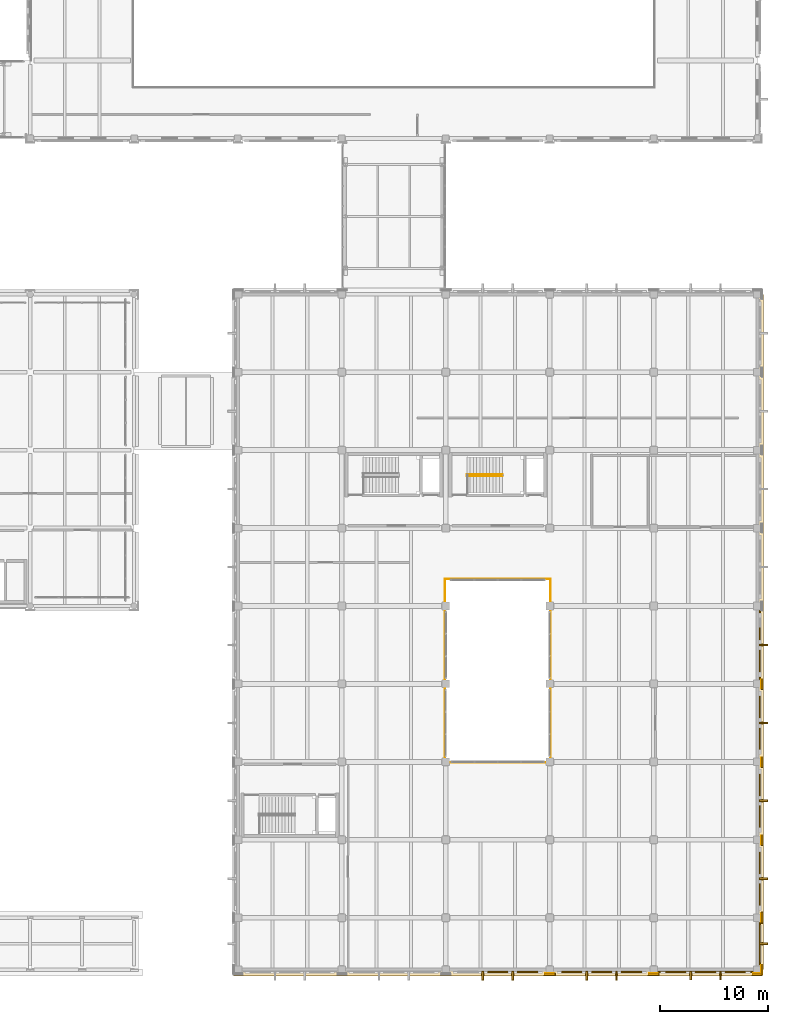
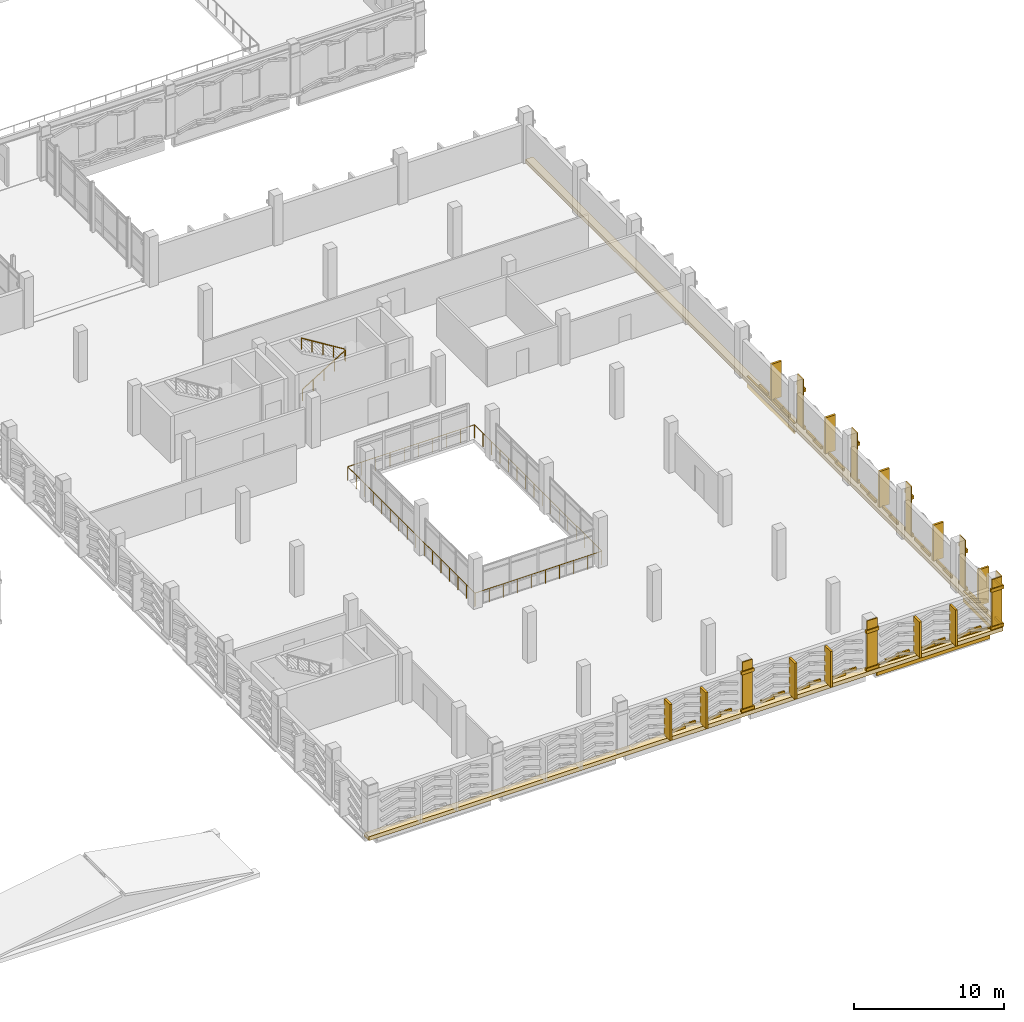
# One storey, part 176 of 180: 73 coverings, 4 railings.
"""IFC4 building model written with IfcOpenShell, lengths in metres."""

from ifc_helpers import new_model, si_unit, direction, frame, origin, origin_2d, place, context, subcontext, project, spatial, rectangle, circle, extrude, material, layer, layer_set, type_object, element, save


model = new_model("IFC4")

# Units and contexts
model_context = context("Model", 3, precision=1e-05, world=origin(), true_north=direction((0.0, 1.0)))
body_context = subcontext(model_context, "Body", "Model", "MODEL_VIEW")
ifc_project = project(units=[si_unit("LENGTHUNIT", "METRE"), si_unit("AREAUNIT", "SQUARE_METRE"), si_unit("VOLUMEUNIT", "CUBIC_METRE"), si_unit("PLANEANGLEUNIT", "RADIAN"), si_unit("MASSUNIT", "GRAM", prefix="KILO")], contexts=[model_context])

# Site, building, storey
site_placement = place(None, origin())
site = spatial("IfcSite", under=ifc_project, at=site_placement, CompositionType="ELEMENT")
building_placement = place(site_placement, origin())
building = spatial("IfcBuilding", under=site, at=building_placement, Name="Asteropetra Specialist Clinic", CompositionType="ELEMENT")
storey_placement = place(building_placement, frame((0.0, 0.0, 4.419921875)))
storey = spatial("IfcBuildingStorey", under=building, at=storey_placement, Name="L01", CompositionType="ELEMENT", Elevation=4.419921875)

# Coverings
ifc_material_1 = material(Name="Chevron aegean deep")
ifc_layer_1 = layer(ifc_material_1, 0.1201171875)
ifc_layer_set_1 = layer_set([ifc_layer_1], Name="Chevron aegean deep")
covering_type_1 = type_object("IfcCoveringType", Name="CLD-AEG-DEEP", PredefinedType="CLADDING", material=ifc_layer_set_1)
for number, where, z_axis, x_axis, name in (
    (1, (129.193115234375, -0.21240234375, 0.1201171875), (0.0, 0.0, 1.0), (1.0, 0.0, 0.0), "Chevron Ceramic Band CV-2034"),
    (2, (130.007080078125, -0.21240234375, 0.26025390625), (0.0, 0.0, 1.0), (1.0, 0.0, 0.0), "Chevron Ceramic Band CV-2035"),
    (3, (131.9462890625, -0.21240234375, 0.1201171875), (0.0, 0.0, 1.0), (1.0, 0.0, 0.0), "Chevron Ceramic Band CV-2036"),
    (4, (132.76025390625, -0.21240234375, 0.26025390625), (0.0, 0.0, 1.0), (1.0, 0.0, 0.0), "Chevron Ceramic Band CV-2037"),
    (5, (136.039794921875, -0.21240234375, 0.1201171875), (0.0, 0.0, 1.0), (1.0, 0.0, 0.0), "Chevron Ceramic Band CV-2044"),
    (6, (136.853759765625, -0.21240234375, 0.26025390625), (0.0, 0.0, 1.0), (1.0, 0.0, 0.0), "Chevron Ceramic Band CV-2045"),
    (7, (138.79296875, -0.21240234375, 0.1201171875), (0.0, 0.0, 1.0), (1.0, 0.0, 0.0), "Chevron Ceramic Band CV-2046"),
    (8, (139.60693359375, -0.21240234375, 0.26025390625), (0.0, 0.0, 1.0), (1.0, 0.0, 0.0), "Chevron Ceramic Band CV-2047"),
    (9, (141.54638671875, -0.21240234375, 0.1201171875), (0.0, 0.0, 1.0), (1.0, 0.0, 0.0), "Chevron Ceramic Band CV-2048"),
    (10, (142.3603515625, -0.21240234375, 0.26025390625), (0.0, 0.0, 1.0), (1.0, 0.0, 0.0), "Chevron Ceramic Band CV-2049"),
):
    element("IfcCovering", number, at=place(storey_placement, frame(where, z_axis=z_axis, x_axis=x_axis)), inside=storey, type_object=covering_type_1, Name=name, PredefinedType="CLADDING", context=body_context, shape_type="SweptSolid", body=[
        extrude(rectangle(XDim=1.0458984375, YDim=0.1201171875, at=origin_2d()), origin(), (0.0, 0.0, 1.0), 0.199951171875),
    ])
covering_1_placement = place(storey_placement, frame((148.800048828125, -0.197509765625, -0.7998046875), z_axis=(0.0, 0.0, 1.0), x_axis=(1.0, 0.0, 0.0)))
element("IfcCovering", 11, at=covering_1_placement, inside=storey, type_object=covering_type_1, Name="Chevron Spandrel Band CV-2056", PredefinedType="CLADDING", context=body_context, shape_type="SweptSolid", body=[
    extrude(rectangle(XDim=8.699951171875, YDim=0.1201171875, at=origin_2d()), origin(), (0.0, 0.0, 1.0), 0.8798828125),
])
for number, where, z_axis, x_axis, name in (
    (12, (145.6396484375, -0.21240234375, 0.1201171875), (0.0, 0.0, 1.0), (1.0, 0.0, 0.0), "Chevron Ceramic Band CV-2057"),
    (13, (146.45361328125, -0.21240234375, 0.26025390625), (0.0, 0.0, 1.0), (1.0, 0.0, 0.0), "Chevron Ceramic Band CV-2058"),
    (14, (148.39306640625, -0.21240234375, 0.1201171875), (0.0, 0.0, 1.0), (1.0, 0.0, 0.0), "Chevron Ceramic Band CV-2059"),
    (15, (149.20703125, -0.21240234375, 0.26025390625), (0.0, 0.0, 1.0), (1.0, 0.0, 0.0), "Chevron Ceramic Band CV-2060"),
    (16, (151.146240234375, -0.21240234375, 0.1201171875), (0.0, 0.0, 1.0), (1.0, 0.0, 0.0), "Chevron Ceramic Band CV-2061"),
    (17, (151.960205078125, -0.21240234375, 0.26025390625), (0.0, 0.0, 1.0), (1.0, 0.0, 0.0), "Chevron Ceramic Band CV-2062"),
):
    element("IfcCovering", number, at=place(storey_placement, frame(where, z_axis=z_axis, x_axis=x_axis)), inside=storey, type_object=covering_type_1, Name=name, PredefinedType="CLADDING", context=body_context, shape_type="SweptSolid", body=[
        extrude(rectangle(XDim=1.0458984375, YDim=0.1201171875, at=origin_2d()), origin(), (0.0, 0.0, 1.0), 0.199951171875),
    ])
covering_2_placement = place(storey_placement, frame((153.797607421875, 2.39990234375, -0.7998046875), z_axis=(0.0, 0.0, 1.0), x_axis=(1.0, 0.0, 0.0)))
element("IfcCovering", 18, at=covering_2_placement, inside=storey, type_object=covering_type_1, Name="Chevron Spandrel Band CV-2073", PredefinedType="CLADDING", context=body_context, shape_type="SweptSolid", body=[
    extrude(rectangle(XDim=0.1201171875, YDim=3.89990234375, at=origin_2d()), origin(), (0.0, 0.0, 1.0), 0.8798828125),
])
for number, where, z_axis, x_axis, name in (
    (19, (153.8125, 1.886962890625, 0.1201171875), (0.0, 0.0, 1.0), (1.0, 0.0, 0.0), "Chevron Ceramic Band CV-2074"),
    (20, (153.8125, 2.9130859375, 0.26025390625), (0.0, 0.0, 1.0), (1.0, 0.0, 0.0), "Chevron Ceramic Band CV-2075"),
):
    element("IfcCovering", number, at=place(storey_placement, frame(where, z_axis=z_axis, x_axis=x_axis)), inside=storey, type_object=covering_type_1, Name=name, PredefinedType="CLADDING", context=body_context, shape_type="SweptSolid", body=[
        extrude(rectangle(XDim=0.1201171875, YDim=1.31494140625, at=origin_2d()), origin(), (0.0, 0.0, 1.0), 0.199951171875),
    ])
for number, where, z_axis, x_axis, name in (
    (21, (153.8125, 6.50146484375, 0.1201171875), (0.0, 0.0, 1.0), (1.0, 0.0, 0.0), "Chevron Ceramic Band CV-2080"),
    (22, (153.8125, 7.368408203125, 0.26025390625), (0.0, 0.0, 1.0), (1.0, 0.0, 0.0), "Chevron Ceramic Band CV-2081"),
    (23, (153.8125, 9.431396484375, 0.1201171875), (0.0, 0.0, 1.0), (1.0, 0.0, 0.0), "Chevron Ceramic Band CV-2082"),
    (24, (153.8125, 10.298583984375, 0.26025390625), (0.0, 0.0, 1.0), (1.0, 0.0, 0.0), "Chevron Ceramic Band CV-2083"),
    (25, (153.8125, 13.701416015625, 0.1201171875), (0.0, 0.0, 1.0), (1.0, 0.0, 0.0), "Chevron Ceramic Band CV-2089"),
    (26, (153.8125, 14.568603515625, 0.26025390625), (0.0, 0.0, 1.0), (1.0, 0.0, 0.0), "Chevron Ceramic Band CV-2090"),
    (27, (153.8125, 16.631591796875, 0.1201171875), (0.0, 0.0, 1.0), (1.0, 0.0, 0.0), "Chevron Ceramic Band CV-2091"),
    (28, (153.8125, 17.49853515625, 0.26025390625), (0.0, 0.0, 1.0), (1.0, 0.0, 0.0), "Chevron Ceramic Band CV-2092"),
    (29, (153.8125, 20.901611328125, 0.1201171875), (0.0, 0.0, 1.0), (1.0, 0.0, 0.0), "Chevron Ceramic Band CV-2097"),
    (30, (153.8125, 21.7685546875, 0.26025390625), (0.0, 0.0, 1.0), (1.0, 0.0, 0.0), "Chevron Ceramic Band CV-2098"),
    (31, (153.8125, 23.83154296875, 0.1201171875), (0.0, 0.0, 1.0), (1.0, 0.0, 0.0), "Chevron Ceramic Band CV-2099"),
    (32, (153.8125, 24.698486328125, 0.26025390625), (0.0, 0.0, 1.0), (1.0, 0.0, 0.0), "Chevron Ceramic Band CV-2100"),
):
    element("IfcCovering", number, at=place(storey_placement, frame(where, z_axis=z_axis, x_axis=x_axis)), inside=storey, type_object=covering_type_1, Name=name, PredefinedType="CLADDING", context=body_context, shape_type="SweptSolid", body=[
        extrude(rectangle(XDim=0.1201171875, YDim=1.113037109375, at=origin_2d()), origin(), (0.0, 0.0, 1.0), 0.199951171875),
    ])
covering_3_placement = place(storey_placement, frame((153.797607421875, 30.0, -0.7998046875), z_axis=(0.0, 0.0, 1.0), x_axis=(1.0, 0.0, 0.0)))
element("IfcCovering", 33, at=covering_3_placement, inside=storey, type_object=covering_type_1, Name="Chevron Spandrel Band CV-2105", PredefinedType="CLADDING", context=body_context, shape_type="SweptSolid", body=[
    extrude(rectangle(XDim=0.1201171875, YDim=6.300048828125, at=origin_2d()), origin(), (0.0, 0.0, 1.0), 0.8798828125),
])
for number, where, z_axis, x_axis, name in (
    (34, (153.8125, 28.1015625, 0.1201171875), (0.0, 0.0, 1.0), (1.0, 0.0, 0.0), "Chevron Ceramic Band CV-2106"),
    (35, (153.8125, 28.968505859375, 0.26025390625), (0.0, 0.0, 1.0), (1.0, 0.0, 0.0), "Chevron Ceramic Band CV-2107"),
    (36, (153.8125, 31.031494140625, 0.1201171875), (0.0, 0.0, 1.0), (1.0, 0.0, 0.0), "Chevron Ceramic Band CV-2108"),
):
    element("IfcCovering", number, at=place(storey_placement, frame(where, z_axis=z_axis, x_axis=x_axis)), inside=storey, type_object=covering_type_1, Name=name, PredefinedType="CLADDING", context=body_context, shape_type="SweptSolid", body=[
        extrude(rectangle(XDim=0.1201171875, YDim=1.113037109375, at=origin_2d()), origin(), (0.0, 0.0, 1.0), 0.199951171875),
    ])
ifc_material_2 = material(Name="Pentelic marble ashlar", Category="masonry")
ifc_layer_2 = layer(ifc_material_2, 0.159912109375)
ifc_layer_set_2 = layer_set([ifc_layer_2], Name="Pentelic marble ashlar")
covering_type_2 = type_object("IfcCoveringType", Name="CRN-ENTAB-600", PredefinedType="MOLDING", material=ifc_layer_set_2)
covering_4_placement = place(storey_placement, frame((134.39990234375, -0.382080078125, 0.02001953125), z_axis=(0.0, 0.0, 1.0), x_axis=(1.0, 0.0, 0.0)))
element("IfcCovering", 37, at=covering_4_placement, inside=storey, type_object=covering_type_2, Name="Neoclassical Pilaster Facing CM-1061", PredefinedType="MOLDING", context=body_context, shape_type="SweptSolid", body=[
    extrude(rectangle(XDim=0.780029296875, YDim=0.080078125, at=origin_2d()), origin(), (0.0, 0.0, 1.0), 4.0400390625),
])
for number, where, z_axis, x_axis, name in (
    (38, (134.39990234375, -0.422119140625, 0.01025390625), (0.0, 0.0, 1.0), (1.0, 0.0, 0.0), "Doric Base CC-1062"),
    (39, (134.39990234375, -0.422119140625, 3.08984375), (0.0, 0.0, 1.0), (1.0, 0.0, 0.0), "Doric Capital CC-1063"),
):
    element("IfcCovering", number, at=place(storey_placement, frame(where, z_axis=z_axis, x_axis=x_axis)), inside=storey, type_object=covering_type_2, Name=name, PredefinedType="MOLDING", context=body_context, shape_type="SweptSolid", body=[
        extrude(rectangle(XDim=0.97998046875, YDim=0.159912109375, at=origin_2d()), origin(), (0.0, 0.0, 1.0), 0.260009765625),
    ])
covering_5_placement = place(storey_placement, frame((144.0, -0.382080078125, 0.02001953125), z_axis=(0.0, 0.0, 1.0), x_axis=(1.0, 0.0, 0.0)))
element("IfcCovering", 40, at=covering_5_placement, inside=storey, type_object=covering_type_2, Name="Neoclassical Pilaster Facing CM-1067", PredefinedType="MOLDING", context=body_context, shape_type="SweptSolid", body=[
    extrude(rectangle(XDim=0.780029296875, YDim=0.080078125, at=origin_2d()), origin(), (0.0, 0.0, 1.0), 4.0400390625),
])
for number, where, z_axis, x_axis, name in (
    (41, (144.0, -0.422119140625, 0.01025390625), (0.0, 0.0, 1.0), (1.0, 0.0, 0.0), "Doric Base CC-1068"),
    (42, (144.0, -0.422119140625, 3.08984375), (0.0, 0.0, 1.0), (1.0, 0.0, 0.0), "Doric Capital CC-1069"),
):
    element("IfcCovering", number, at=place(storey_placement, frame(where, z_axis=z_axis, x_axis=x_axis)), inside=storey, type_object=covering_type_2, Name=name, PredefinedType="MOLDING", context=body_context, shape_type="SweptSolid", body=[
        extrude(rectangle(XDim=0.97998046875, YDim=0.159912109375, at=origin_2d()), origin(), (0.0, 0.0, 1.0), 0.260009765625),
    ])
covering_6_placement = place(storey_placement, frame((153.60009765625, -0.382080078125, 0.02001953125), z_axis=(0.0, 0.0, 1.0), x_axis=(1.0, 0.0, 0.0)))
element("IfcCovering", 43, at=covering_6_placement, inside=storey, type_object=covering_type_2, Name="Neoclassical Pilaster Facing CM-1073", PredefinedType="MOLDING", context=body_context, shape_type="SweptSolid", body=[
    extrude(rectangle(XDim=0.780029296875, YDim=0.080078125, at=origin_2d()), origin(), (0.0, 0.0, 1.0), 4.0400390625),
])
for number, where, z_axis, x_axis, name in (
    (44, (153.60009765625, -0.422119140625, 0.01025390625), (0.0, 0.0, 1.0), (1.0, 0.0, 0.0), "Doric Base CC-1074"),
    (45, (153.60009765625, -0.422119140625, 3.08984375), (0.0, 0.0, 1.0), (1.0, 0.0, 0.0), "Doric Capital CC-1075"),
):
    element("IfcCovering", number, at=place(storey_placement, frame(where, z_axis=z_axis, x_axis=x_axis)), inside=storey, type_object=covering_type_2, Name=name, PredefinedType="MOLDING", context=body_context, shape_type="SweptSolid", body=[
        extrude(rectangle(XDim=0.97998046875, YDim=0.159912109375, at=origin_2d()), origin(), (0.0, 0.0, 1.0), 0.260009765625),
    ])
covering_7_placement = place(storey_placement, frame((153.98193359375, 0.0, 0.02001953125), z_axis=(0.0, 0.0, 1.0), x_axis=(1.0, 0.0, 0.0)))
element("IfcCovering", 46, at=covering_7_placement, inside=storey, type_object=covering_type_2, Name="Neoclassical Pilaster Facing CM-1076", PredefinedType="MOLDING", context=body_context, shape_type="SweptSolid", body=[
    extrude(rectangle(XDim=0.080078125, YDim=0.780029296875, at=origin_2d()), origin(), (0.0, 0.0, 1.0), 4.0400390625),
])
for number, where, z_axis, x_axis, name in (
    (47, (154.02197265625, 0.0, 0.01025390625), (0.0, 0.0, 1.0), (1.0, 0.0, 0.0), "Doric Base CC-1077"),
    (48, (154.02197265625, 0.0, 3.08984375), (0.0, 0.0, 1.0), (1.0, 0.0, 0.0), "Doric Capital CC-1078"),
):
    element("IfcCovering", number, at=place(storey_placement, frame(where, z_axis=z_axis, x_axis=x_axis)), inside=storey, type_object=covering_type_2, Name=name, PredefinedType="MOLDING", context=body_context, shape_type="SweptSolid", body=[
        extrude(rectangle(XDim=0.159912109375, YDim=0.97998046875, at=origin_2d()), origin(), (0.0, 0.0, 1.0), 0.260009765625),
    ])
covering_8_placement = place(storey_placement, frame((153.98193359375, 4.800048828125, 0.02001953125), z_axis=(0.0, 0.0, 1.0), x_axis=(1.0, 0.0, 0.0)))
element("IfcCovering", 49, at=covering_8_placement, inside=storey, type_object=covering_type_2, Name="Neoclassical Pilaster Facing CM-1079", PredefinedType="MOLDING", context=body_context, shape_type="SweptSolid", body=[
    extrude(rectangle(XDim=0.080078125, YDim=0.780029296875, at=origin_2d()), origin(), (0.0, 0.0, 1.0), 4.0400390625),
])
for number, where, z_axis, x_axis, name in (
    (50, (154.02197265625, 4.800048828125, 0.01025390625), (0.0, 0.0, 1.0), (1.0, 0.0, 0.0), "Doric Base CC-1080"),
    (51, (154.02197265625, 4.800048828125, 3.08984375), (0.0, 0.0, 1.0), (1.0, 0.0, 0.0), "Doric Capital CC-1081"),
):
    element("IfcCovering", number, at=place(storey_placement, frame(where, z_axis=z_axis, x_axis=x_axis)), inside=storey, type_object=covering_type_2, Name=name, PredefinedType="MOLDING", context=body_context, shape_type="SweptSolid", body=[
        extrude(rectangle(XDim=0.159912109375, YDim=0.97998046875, at=origin_2d()), origin(), (0.0, 0.0, 1.0), 0.260009765625),
    ])
covering_9_placement = place(storey_placement, frame((153.98193359375, 12.0, 0.02001953125), z_axis=(0.0, 0.0, 1.0), x_axis=(1.0, 0.0, 0.0)))
element("IfcCovering", 52, at=covering_9_placement, inside=storey, type_object=covering_type_2, Name="Neoclassical Pilaster Facing CM-1082", PredefinedType="MOLDING", context=body_context, shape_type="SweptSolid", body=[
    extrude(rectangle(XDim=0.080078125, YDim=0.780029296875, at=origin_2d()), origin(), (0.0, 0.0, 1.0), 4.0400390625),
])
for number, where, z_axis, x_axis, name in (
    (53, (154.02197265625, 12.0, 0.01025390625), (0.0, 0.0, 1.0), (1.0, 0.0, 0.0), "Doric Base CC-1083"),
    (54, (154.02197265625, 12.0, 3.08984375), (0.0, 0.0, 1.0), (1.0, 0.0, 0.0), "Doric Capital CC-1084"),
):
    element("IfcCovering", number, at=place(storey_placement, frame(where, z_axis=z_axis, x_axis=x_axis)), inside=storey, type_object=covering_type_2, Name=name, PredefinedType="MOLDING", context=body_context, shape_type="SweptSolid", body=[
        extrude(rectangle(XDim=0.159912109375, YDim=0.97998046875, at=origin_2d()), origin(), (0.0, 0.0, 1.0), 0.260009765625),
    ])
covering_10_placement = place(storey_placement, frame((153.98193359375, 19.199951171875, 0.02001953125), z_axis=(0.0, 0.0, 1.0), x_axis=(1.0, 0.0, 0.0)))
element("IfcCovering", 55, at=covering_10_placement, inside=storey, type_object=covering_type_2, Name="Neoclassical Pilaster Facing CM-1085", PredefinedType="MOLDING", context=body_context, shape_type="SweptSolid", body=[
    extrude(rectangle(XDim=0.080078125, YDim=0.780029296875, at=origin_2d()), origin(), (0.0, 0.0, 1.0), 4.0400390625),
])
for number, where, z_axis, x_axis, name in (
    (56, (154.02197265625, 19.199951171875, 0.01025390625), (0.0, 0.0, 1.0), (1.0, 0.0, 0.0), "Doric Base CC-1086"),
    (57, (154.02197265625, 19.199951171875, 3.08984375), (0.0, 0.0, 1.0), (1.0, 0.0, 0.0), "Doric Capital CC-1087"),
):
    element("IfcCovering", number, at=place(storey_placement, frame(where, z_axis=z_axis, x_axis=x_axis)), inside=storey, type_object=covering_type_2, Name=name, PredefinedType="MOLDING", context=body_context, shape_type="SweptSolid", body=[
        extrude(rectangle(XDim=0.159912109375, YDim=0.97998046875, at=origin_2d()), origin(), (0.0, 0.0, 1.0), 0.260009765625),
    ])
covering_11_placement = place(storey_placement, frame((153.98193359375, 26.39990234375, 0.02001953125), z_axis=(0.0, 0.0, 1.0), x_axis=(1.0, 0.0, 0.0)))
element("IfcCovering", 58, at=covering_11_placement, inside=storey, type_object=covering_type_2, Name="Neoclassical Pilaster Facing CM-1088", PredefinedType="MOLDING", context=body_context, shape_type="SweptSolid", body=[
    extrude(rectangle(XDim=0.080078125, YDim=0.780029296875, at=origin_2d()), origin(), (0.0, 0.0, 1.0), 4.0400390625),
])
for number, where, z_axis, x_axis, name in (
    (59, (154.02197265625, 26.39990234375, 0.01025390625), (0.0, 0.0, 1.0), (1.0, 0.0, 0.0), "Doric Base CC-1089"),
    (60, (154.02197265625, 26.39990234375, 3.08984375), (0.0, 0.0, 1.0), (1.0, 0.0, 0.0), "Doric Capital CC-1090"),
):
    element("IfcCovering", number, at=place(storey_placement, frame(where, z_axis=z_axis, x_axis=x_axis)), inside=storey, type_object=covering_type_2, Name=name, PredefinedType="MOLDING", context=body_context, shape_type="SweptSolid", body=[
        extrude(rectangle(XDim=0.159912109375, YDim=0.97998046875, at=origin_2d()), origin(), (0.0, 0.0, 1.0), 0.260009765625),
    ])
covering_12_placement = place(storey_placement, frame((129.60009765625, -0.280029296875, -0.27978515625), z_axis=(0.0, 0.0, 1.0), x_axis=(1.0, 0.0, 0.0)))
element("IfcCovering", 61, at=covering_12_placement, inside=storey, type_object=covering_type_2, Name="Classical Entablature Cornice EC-013", PredefinedType="MOLDING", context=body_context, shape_type="SweptSolid", body=[
    extrude(rectangle(XDim=48.800048828125, YDim=0.56005859375, at=origin_2d()), origin(), (0.0, 0.0, 1.0), 0.320068359375),
])
covering_13_placement = place(storey_placement, frame((153.8798828125, 31.199951171875, -0.27978515625), z_axis=(0.0, 0.0, 1.0), x_axis=(1.0, 0.0, 0.0)))
element("IfcCovering", 62, at=covering_13_placement, inside=storey, type_object=covering_type_2, Name="Classical Entablature Cornice EC-016", PredefinedType="MOLDING", context=body_context, shape_type="SweptSolid", body=[
    extrude(rectangle(XDim=0.56005859375, YDim=62.39990234375, at=origin_2d()), origin(), (0.0, 0.0, 1.0), 0.320068359375),
])
ifc_material_3 = material(Name="Pentelic marble solar fin", Category="masonry")
ifc_layer_3 = layer(ifc_material_3, 0.080078125)
ifc_layer_set_3 = layer_set([ifc_layer_3], Name="Pentelic marble solar fin")
covering_type_3 = type_object("IfcCoveringType", Name="FIN-SOLAR-800", PredefinedType="MOLDING", material=ifc_layer_set_3)
for number, where, z_axis, x_axis, name in (
    (63, (128.223388671875, -0.552490234375, 0.070068359375), (0.0, 0.0, 1.0), (1.0, 0.0, 0.0), "Solar Shading Fin FN-0154"),
    (64, (130.976806640625, -0.552490234375, 0.070068359375), (0.0, 0.0, 1.0), (1.0, 0.0, 0.0), "Solar Shading Fin FN-0155"),
    (65, (137.8232421875, -0.552490234375, 0.070068359375), (0.0, 0.0, 1.0), (1.0, 0.0, 0.0), "Solar Shading Fin FN-0158"),
    (66, (140.57666015625, -0.552490234375, 0.070068359375), (0.0, 0.0, 1.0), (1.0, 0.0, 0.0), "Solar Shading Fin FN-0159"),
    (67, (147.42333984375, -0.552490234375, 0.070068359375), (0.0, 0.0, 1.0), (1.0, 0.0, 0.0), "Solar Shading Fin FN-0162"),
    (68, (150.1767578125, -0.552490234375, 0.070068359375), (0.0, 0.0, 1.0), (1.0, 0.0, 0.0), "Solar Shading Fin FN-0163"),
):
    element("IfcCovering", number, at=place(storey_placement, frame(where, z_axis=z_axis, x_axis=x_axis)), inside=storey, type_object=covering_type_3, Name=name, PredefinedType="MOLDING", context=body_context, shape_type="SweptSolid", body=[
        extrude(rectangle(XDim=0.159912109375, YDim=0.800048828125, at=origin_2d()), origin(), (0.0, 0.0, 1.0), 2.919921875),
    ])
for number, where, z_axis, x_axis, name in (
    (69, (154.152587890625, 2.39990234375, 0.070068359375), (0.0, 0.0, 1.0), (1.0, 0.0, 0.0), "Solar Shading Fin FN-0167"),
    (70, (154.152587890625, 8.39990234375, 0.070068359375), (0.0, 0.0, 1.0), (1.0, 0.0, 0.0), "Solar Shading Fin FN-0169"),
    (71, (154.152587890625, 15.60009765625, 0.070068359375), (0.0, 0.0, 1.0), (1.0, 0.0, 0.0), "Solar Shading Fin FN-0171"),
    (72, (154.152587890625, 22.800048828125, 0.070068359375), (0.0, 0.0, 1.0), (1.0, 0.0, 0.0), "Solar Shading Fin FN-0173"),
    (73, (154.152587890625, 30.0, 0.070068359375), (0.0, 0.0, 1.0), (1.0, 0.0, 0.0), "Solar Shading Fin FN-0175"),
):
    element("IfcCovering", number, at=place(storey_placement, frame(where, z_axis=z_axis, x_axis=x_axis)), inside=storey, type_object=covering_type_3, Name=name, PredefinedType="MOLDING", context=body_context, shape_type="SweptSolid", body=[
        extrude(rectangle(XDim=0.800048828125, YDim=0.159912109375, at=origin_2d()), origin(), (0.0, 0.0, 1.0), 2.919921875),
    ])

# Railings
ifc_material_4 = material(Name="Powder-coated Steel S355 guardrail", Category="steel")
railing_type_1 = type_object("IfcRailingType", Name="GRD-EXT-1120", PredefinedType="GUARDRAIL", material=ifc_material_4)
railing_1_placement = place(storey_placement, frame((124.719970703125, 19.1201171875, 0.0)))
element("IfcRailing", 74, at=railing_1_placement, inside=storey, type_object=railing_type_1, Name="Perimeter Guard GRD-CT-L01-07A", PredefinedType="GUARDRAIL", context=body_context, shape_type="SweptSolid", body=[
    extrude(circle(Radius=0.02392578125, at=origin_2d()), frame((0.0, 0.0, 1.09619140625), z_axis=(1.0, 0.0, 0.0), x_axis=(0.0, 1.0, 0.0)), (0.0, 0.0, 1.0), 9.760009765625),
    extrude(circle(Radius=0.02392578125, at=origin_2d()), frame((9.760009765625, 0.0, 1.09619140625), z_axis=(0.0, 1.0, 0.0), x_axis=(-1.0, 0.0, 0.0)), (0.0, 0.0, 1.0), 16.9599609375),
    extrude(circle(Radius=0.02099609375, at=origin_2d()), origin(), (0.0, 0.0, 1.0), 1.072021484375),
    extrude(circle(Radius=0.02099609375, at=origin_2d()), frame((1.08447265625, 0.0, 0.0)), (0.0, 0.0, 1.0), 1.072021484375),
    extrude(circle(Radius=0.02099609375, at=origin_2d()), frame((2.1689453125, 0.0, 0.0)), (0.0, 0.0, 1.0), 1.072021484375),
    extrude(circle(Radius=0.02099609375, at=origin_2d()), frame((3.25341796875, 0.0, 0.0)), (0.0, 0.0, 1.0), 1.072021484375),
    extrude(circle(Radius=0.02099609375, at=origin_2d()), frame((4.337890625, 0.0, 0.0)), (0.0, 0.0, 1.0), 1.072021484375),
    extrude(circle(Radius=0.02099609375, at=origin_2d()), frame((5.422119140625, 0.0, 0.0)), (0.0, 0.0, 1.0), 1.072021484375),
    extrude(circle(Radius=0.02099609375, at=origin_2d()), frame((6.506591796875, 0.0, 0.0)), (0.0, 0.0, 1.0), 1.072021484375),
    extrude(circle(Radius=0.02099609375, at=origin_2d()), frame((7.591064453125, 0.0, 0.0)), (0.0, 0.0, 1.0), 1.072021484375),
    extrude(circle(Radius=0.02099609375, at=origin_2d()), frame((8.675537109375, 0.0, 0.0)), (0.0, 0.0, 1.0), 1.072021484375),
    extrude(circle(Radius=0.02099609375, at=origin_2d()), frame((9.760009765625, 0.0, 0.0)), (0.0, 0.0, 1.0), 1.072021484375),
    extrude(circle(Radius=0.02099609375, at=origin_2d()), frame((9.760009765625, 1.130615234375, 0.0)), (0.0, 0.0, 1.0), 1.072021484375),
    extrude(circle(Radius=0.02099609375, at=origin_2d()), frame((9.760009765625, 2.26123046875, 0.0)), (0.0, 0.0, 1.0), 1.072021484375),
    extrude(circle(Radius=0.02099609375, at=origin_2d()), frame((9.760009765625, 3.39208984375, 0.0)), (0.0, 0.0, 1.0), 1.072021484375),
    extrude(circle(Radius=0.02099609375, at=origin_2d()), frame((9.760009765625, 4.522705078125, 0.0)), (0.0, 0.0, 1.0), 1.072021484375),
    extrude(circle(Radius=0.02099609375, at=origin_2d()), frame((9.760009765625, 5.6533203125, 0.0)), (0.0, 0.0, 1.0), 1.072021484375),
    extrude(circle(Radius=0.02099609375, at=origin_2d()), frame((9.760009765625, 6.783935546875, 0.0)), (0.0, 0.0, 1.0), 1.072021484375),
    extrude(circle(Radius=0.02099609375, at=origin_2d()), frame((9.760009765625, 7.91455078125, 0.0)), (0.0, 0.0, 1.0), 1.072021484375),
    extrude(circle(Radius=0.02099609375, at=origin_2d()), frame((9.760009765625, 9.04541015625, 0.0)), (0.0, 0.0, 1.0), 1.072021484375),
    extrude(circle(Radius=0.02099609375, at=origin_2d()), frame((9.760009765625, 10.176025390625, 0.0)), (0.0, 0.0, 1.0), 1.072021484375),
    extrude(circle(Radius=0.02099609375, at=origin_2d()), frame((9.760009765625, 11.306640625, 0.0)), (0.0, 0.0, 1.0), 1.072021484375),
    extrude(circle(Radius=0.02099609375, at=origin_2d()), frame((9.760009765625, 12.437255859375, 0.0)), (0.0, 0.0, 1.0), 1.072021484375),
    extrude(circle(Radius=0.02099609375, at=origin_2d()), frame((9.760009765625, 13.56787109375, 0.0)), (0.0, 0.0, 1.0), 1.072021484375),
    extrude(circle(Radius=0.02099609375, at=origin_2d()), frame((9.760009765625, 14.69873046875, 0.0)), (0.0, 0.0, 1.0), 1.072021484375),
    extrude(circle(Radius=0.02099609375, at=origin_2d()), frame((9.760009765625, 15.829345703125, 0.0)), (0.0, 0.0, 1.0), 1.072021484375),
    extrude(circle(Radius=0.02099609375, at=origin_2d()), frame((9.760009765625, 16.9599609375, 0.0)), (0.0, 0.0, 1.0), 1.072021484375),
])
railing_2_placement = place(storey_placement, frame((134.47998046875, 36.080078125, 0.0)))
element("IfcRailing", 75, at=railing_2_placement, inside=storey, type_object=railing_type_1, Name="Perimeter Guard GRD-CT-L01-07B", PredefinedType="GUARDRAIL", context=body_context, shape_type="SweptSolid", body=[
    extrude(circle(Radius=0.02392578125, at=origin_2d()), frame((0.0, 0.0, 1.09619140625), z_axis=(-1.0, 0.0, 0.0), x_axis=(0.0, -1.0, 0.0)), (0.0, 0.0, 1.0), 9.760009765625),
    extrude(circle(Radius=0.02392578125, at=origin_2d()), frame((-9.760009765625, 0.0, 1.09619140625), z_axis=(0.0, -1.0, 0.0), x_axis=(1.0, 0.0, 0.0)), (0.0, 0.0, 1.0), 16.9599609375),
    extrude(circle(Radius=0.02099609375, at=origin_2d()), origin(), (0.0, 0.0, 1.0), 1.072021484375),
    extrude(circle(Radius=0.02099609375, at=origin_2d()), frame((-1.08447265625, 0.0, 0.0)), (0.0, 0.0, 1.0), 1.072021484375),
    extrude(circle(Radius=0.02099609375, at=origin_2d()), frame((-2.1689453125, 0.0, 0.0)), (0.0, 0.0, 1.0), 1.072021484375),
    extrude(circle(Radius=0.02099609375, at=origin_2d()), frame((-3.25341796875, 0.0, 0.0)), (0.0, 0.0, 1.0), 1.072021484375),
    extrude(circle(Radius=0.02099609375, at=origin_2d()), frame((-4.337890625, 0.0, 0.0)), (0.0, 0.0, 1.0), 1.072021484375),
    extrude(circle(Radius=0.02099609375, at=origin_2d()), frame((-5.422119140625, 0.0, 0.0)), (0.0, 0.0, 1.0), 1.072021484375),
    extrude(circle(Radius=0.02099609375, at=origin_2d()), frame((-6.506591796875, 0.0, 0.0)), (0.0, 0.0, 1.0), 1.072021484375),
    extrude(circle(Radius=0.02099609375, at=origin_2d()), frame((-7.591064453125, 0.0, 0.0)), (0.0, 0.0, 1.0), 1.072021484375),
    extrude(circle(Radius=0.02099609375, at=origin_2d()), frame((-8.675537109375, 0.0, 0.0)), (0.0, 0.0, 1.0), 1.072021484375),
    extrude(circle(Radius=0.02099609375, at=origin_2d()), frame((-9.760009765625, 0.0, 0.0)), (0.0, 0.0, 1.0), 1.072021484375),
    extrude(circle(Radius=0.02099609375, at=origin_2d()), frame((-9.760009765625, -1.130615234375, 0.0)), (0.0, 0.0, 1.0), 1.072021484375),
    extrude(circle(Radius=0.02099609375, at=origin_2d()), frame((-9.760009765625, -2.26123046875, 0.0)), (0.0, 0.0, 1.0), 1.072021484375),
    extrude(circle(Radius=0.02099609375, at=origin_2d()), frame((-9.760009765625, -3.39208984375, 0.0)), (0.0, 0.0, 1.0), 1.072021484375),
    extrude(circle(Radius=0.02099609375, at=origin_2d()), frame((-9.760009765625, -4.522705078125, 0.0)), (0.0, 0.0, 1.0), 1.072021484375),
    extrude(circle(Radius=0.02099609375, at=origin_2d()), frame((-9.760009765625, -5.6533203125, 0.0)), (0.0, 0.0, 1.0), 1.072021484375),
    extrude(circle(Radius=0.02099609375, at=origin_2d()), frame((-9.760009765625, -6.783935546875, 0.0)), (0.0, 0.0, 1.0), 1.072021484375),
    extrude(circle(Radius=0.02099609375, at=origin_2d()), frame((-9.760009765625, -7.91455078125, 0.0)), (0.0, 0.0, 1.0), 1.072021484375),
    extrude(circle(Radius=0.02099609375, at=origin_2d()), frame((-9.760009765625, -9.04541015625, 0.0)), (0.0, 0.0, 1.0), 1.072021484375),
    extrude(circle(Radius=0.02099609375, at=origin_2d()), frame((-9.760009765625, -10.176025390625, 0.0)), (0.0, 0.0, 1.0), 1.072021484375),
    extrude(circle(Radius=0.02099609375, at=origin_2d()), frame((-9.760009765625, -11.306640625, 0.0)), (0.0, 0.0, 1.0), 1.072021484375),
    extrude(circle(Radius=0.02099609375, at=origin_2d()), frame((-9.760009765625, -12.437255859375, 0.0)), (0.0, 0.0, 1.0), 1.072021484375),
    extrude(circle(Radius=0.02099609375, at=origin_2d()), frame((-9.760009765625, -13.56787109375, 0.0)), (0.0, 0.0, 1.0), 1.072021484375),
    extrude(circle(Radius=0.02099609375, at=origin_2d()), frame((-9.760009765625, -14.69873046875, 0.0)), (0.0, 0.0, 1.0), 1.072021484375),
    extrude(circle(Radius=0.02099609375, at=origin_2d()), frame((-9.760009765625, -15.829345703125, 0.0)), (0.0, 0.0, 1.0), 1.072021484375),
    extrude(circle(Radius=0.02099609375, at=origin_2d()), frame((-9.760009765625, -16.9599609375, 0.0)), (0.0, 0.0, 1.0), 1.072021484375),
])
ifc_material_5 = material(Name="Brushed stainless steel handrail", Category="steel")
railing_type_2 = type_object("IfcRailingType", Name="HRL-STAIR-920", PredefinedType="HANDRAIL", material=ifc_material_5)
railing_3_placement = place(storey_placement, frame((126.75, 45.6201171875, 0.0)))
element("IfcRailing", 76, at=railing_3_placement, inside=storey, type_object=railing_type_2, Name="Stair Handrail ST09-L01 F1", PredefinedType="HANDRAIL", context=body_context, shape_type="SweptSolid", body=[
    extrude(circle(Radius=0.02392578125, at=origin_2d()), frame((0.0, 0.0, 0.89599609375), z_axis=(0.850593546085, 0.0, 0.525823753132), x_axis=(0.0, 1.0, 0.0)), (0.0, 0.0, 1.0), 3.879638671875),
    extrude(circle(Radius=0.02099609375, at=origin_2d()), origin(), (0.0, 0.0, 1.0), 0.871826171875),
    extrude(circle(Radius=0.02099609375, at=origin_2d()), frame((0.824951171875, 0.0, 0.510009765625)), (0.0, 0.0, 1.0), 0.871826171875),
    extrude(circle(Radius=0.02099609375, at=origin_2d()), frame((1.64990234375, 0.0, 1.02001953125)), (0.0, 0.0, 1.0), 0.871826171875),
    extrude(circle(Radius=0.02099609375, at=origin_2d()), frame((2.47509765625, 0.0, 1.530029296875)), (0.0, 0.0, 1.0), 0.871826171875),
    extrude(circle(Radius=0.02099609375, at=origin_2d()), frame((3.300048828125, 0.0, 2.0400390625)), (0.0, 0.0, 1.0), 0.871826171875),
])
railing_4_placement = place(storey_placement, frame((130.050048828125, 45.760009765625, 2.0400390625)))
element("IfcRailing", 77, at=railing_4_placement, inside=storey, type_object=railing_type_2, Name="Stair Handrail ST09-L01 F2", PredefinedType="HANDRAIL", context=body_context, shape_type="SweptSolid", body=[
    extrude(circle(Radius=0.02392578125, at=origin_2d()), frame((0.0, 0.0, 0.89599609375), z_axis=(-0.850593546085, 0.0, 0.525823753132), x_axis=(0.0, -1.0, 0.0)), (0.0, 0.0, 1.0), 3.879638671875),
    extrude(circle(Radius=0.02099609375, at=origin_2d()), origin(), (0.0, 0.0, 1.0), 0.871826171875),
    extrude(circle(Radius=0.02099609375, at=origin_2d()), frame((-0.824951171875, 0.0, 0.510009765625)), (0.0, 0.0, 1.0), 0.871826171875),
    extrude(circle(Radius=0.02099609375, at=origin_2d()), frame((-1.64990234375, 0.0, 1.02001953125)), (0.0, 0.0, 1.0), 0.871826171875),
    extrude(circle(Radius=0.02099609375, at=origin_2d()), frame((-2.47509765625, 0.0, 1.530029296875)), (0.0, 0.0, 1.0), 0.871826171875),
    extrude(circle(Radius=0.02099609375, at=origin_2d()), frame((-3.300048828125, 0.0, 2.0400390625)), (0.0, 0.0, 1.0), 0.871826171875),
])

save(model, "model.ifc")
